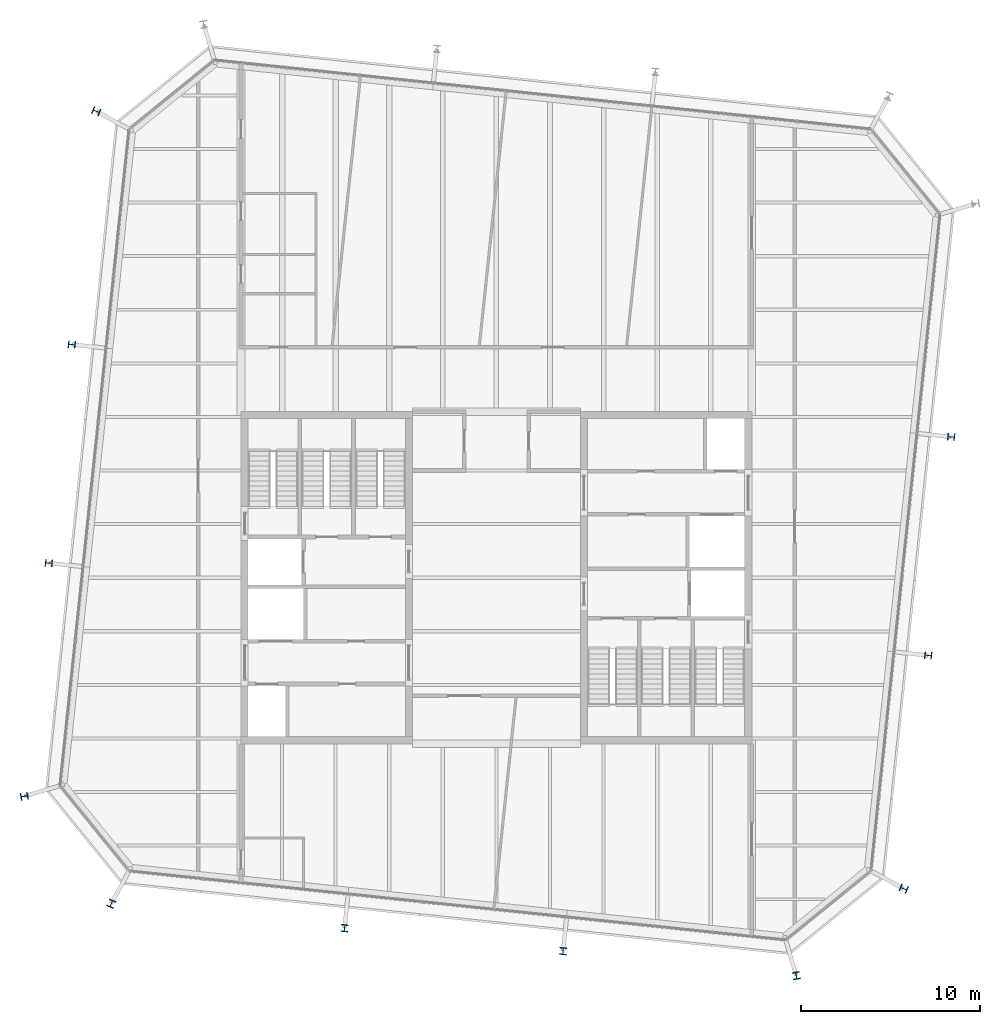
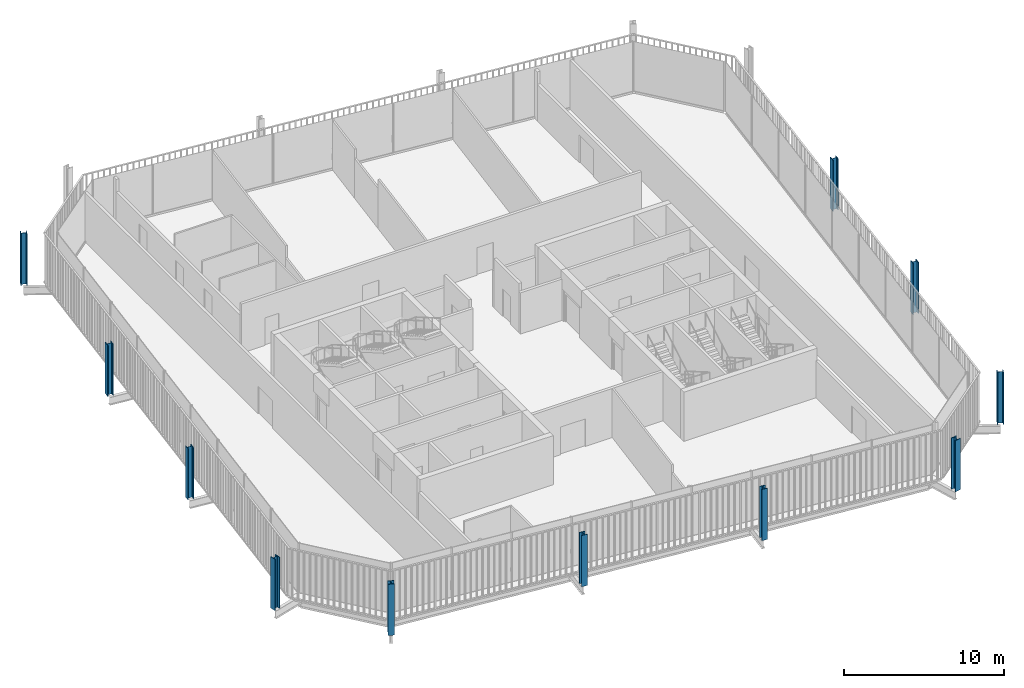
# One storey, part 1 of 20: 11 columns.
"""IFC4 building model written with IfcOpenShell, lengths in metres."""

from ifc_helpers import new_model, si_unit, direction, frame, origin, origin_2d, place, context, subcontext, project, spatial, i_section, extrude, material, material_profile, profile_set, type_object, element, save


model = new_model("IFC4")

# Units and contexts
model_context = context("Model", 3, precision=1e-05, world=origin(), true_north=direction((0.0, 1.0)))
body_context = subcontext(model_context, "Body", "Model", "MODEL_VIEW")
ifc_project = project(units=[si_unit("LENGTHUNIT", "METRE"), si_unit("AREAUNIT", "SQUARE_METRE"), si_unit("VOLUMEUNIT", "CUBIC_METRE"), si_unit("PLANEANGLEUNIT", "RADIAN"), si_unit("MASSUNIT", "GRAM", prefix="KILO")], contexts=[model_context])

# Site, building, storey
site_placement = place(None, origin())
site = spatial("IfcSite", under=ifc_project, at=site_placement, CompositionType="ELEMENT")
building_placement = place(site_placement, origin())
building = spatial("IfcBuilding", under=site, at=building_placement, Name="Millrace Tower", CompositionType="ELEMENT")
storey_placement = place(building_placement, frame((0.0, 0.0, 330.39990234375)))
storey = spatial("IfcBuildingStorey", under=building, at=storey_placement, Name="L76", CompositionType="ELEMENT", Elevation=330.39990234375)

# Columns
ifc_material_1 = material(Name="Steel ASTM A913 Grade 65", Category="steel")
ifc_material_profile_1 = material_profile(ifc_material_1, i_section(OverallWidth=0.4013671875, OverallDepth=0.398681640625, WebThickness=0.02490234375, FlangeThickness=0.03955078125, FilletRadius=0.01513671875, at=origin_2d()))
ifc_profile_set_1 = profile_set([ifc_material_profile_1], Name="Steel ASTM A913 Grade 65")
column_type_1 = type_object("IfcColumnType", Name="Exoskeleton column W14x211", PredefinedType="COLUMN", material=ifc_profile_set_1)
for number, where, z_axis, x_axis, name in (
    (1, (-8.50341796875, -19.62158203125, 0.0), (0.0, 0.0, 1.0), (0.994521897246, -0.104528445407, 0.0), "COL-E-L76-X03"),
    (2, (3.729248046875, -20.9072265625, 0.0), (0.0, 0.0, 1.0), (0.994521897246, -0.104528445407, 0.0), "COL-E-L76-X04"),
    (3, (24.171630859375, -4.353271484375, 0.0), (0.0, 0.0, 1.0), (0.104528445407, 0.994521897246, 0.0), "COL-E-L76-X07"),
    (4, (25.457275390625, 7.879150390625, 0.0), (0.0, 0.0, 1.0), (0.104528445407, 0.994521897246, 0.0), "COL-E-L76-X08"),
    (5, (-23.771484375, 13.053466796875, 0.0), (0.0, 0.0, 1.0), (-0.104528445407, -0.994521897246, 0.0), "COL-E-L76-X15"),
    (6, (-25.057373046875, 0.82080078125, 0.0), (0.0, 0.0, 1.0), (-0.104528445407, -0.994521897246, 0.0), "COL-E-L76-X16"),
):
    element("IfcColumn", number, at=place(storey_placement, frame(where, z_axis=z_axis, x_axis=x_axis)), inside=storey, type_object=column_type_1, Name=name, PredefinedType="COLUMN", context=body_context, shape_type="SweptSolid", body=[
        extrude(i_section(OverallWidth=0.4013671875, OverallDepth=0.398681640625, WebThickness=0.02490234375, FlangeThickness=0.03955078125, FilletRadius=0.01513671875, at=origin_2d()), origin(), (0.0, 0.0, 1.0), 3.900146484375),
    ])
ifc_material_2 = material(Name="Steel ASTM A913 Grade 65", Category="steel")
ifc_material_profile_2 = material_profile(ifc_material_2, i_section(OverallWidth=0.406494140625, OverallDepth=0.41650390625, WebThickness=0.030029296875, FlangeThickness=0.048095703125, FilletRadius=0.01513671875, at=origin_2d()))
ifc_profile_set_2 = profile_set([ifc_material_profile_2], Name="Steel ASTM A913 Grade 65")
column_type_2 = type_object("IfcColumnType", Name="Exoskeleton column W14x257", PredefinedType="COLUMN", material=ifc_profile_set_2)
for number, where, z_axis, x_axis, name in (
    (7, (-26.429443359375, -12.23583984375, 0.0), (0.0, 0.0, 1.0), (0.18038747256, -0.983595628164, 0.0), "COL-E-L76-X01"),
    (8, (-21.559814453125, -18.249267578125, 0.0), (0.0, 0.0, 1.0), (0.92459700658, -0.380946683176, 0.0), "COL-E-L76-X02"),
    (9, (16.78564453125, -22.279541015625, 0.0), (0.0, 0.0, 1.0), (0.983595628164, 0.18038747256, 0.0), "COL-E-L76-X05"),
    (10, (22.79931640625, -17.409912109375, 0.0), (0.0, 0.0, 1.0), (0.380946683176, 0.92459700658, 0.0), "COL-E-L76-X06"),
    (11, (-22.399169921875, 26.10986328125, 0.0), (0.0, 0.0, 1.0), (-0.380946683176, -0.92459700658, 0.0), "COL-E-L76-X14"),
):
    element("IfcColumn", number, at=place(storey_placement, frame(where, z_axis=z_axis, x_axis=x_axis)), inside=storey, type_object=column_type_2, Name=name, PredefinedType="COLUMN", context=body_context, shape_type="SweptSolid", body=[
        extrude(i_section(OverallWidth=0.406494140625, OverallDepth=0.41650390625, WebThickness=0.030029296875, FlangeThickness=0.048095703125, FilletRadius=0.01513671875, at=origin_2d()), origin(), (0.0, 0.0, 1.0), 3.900146484375),
    ])

save(model, "model.ifc")
